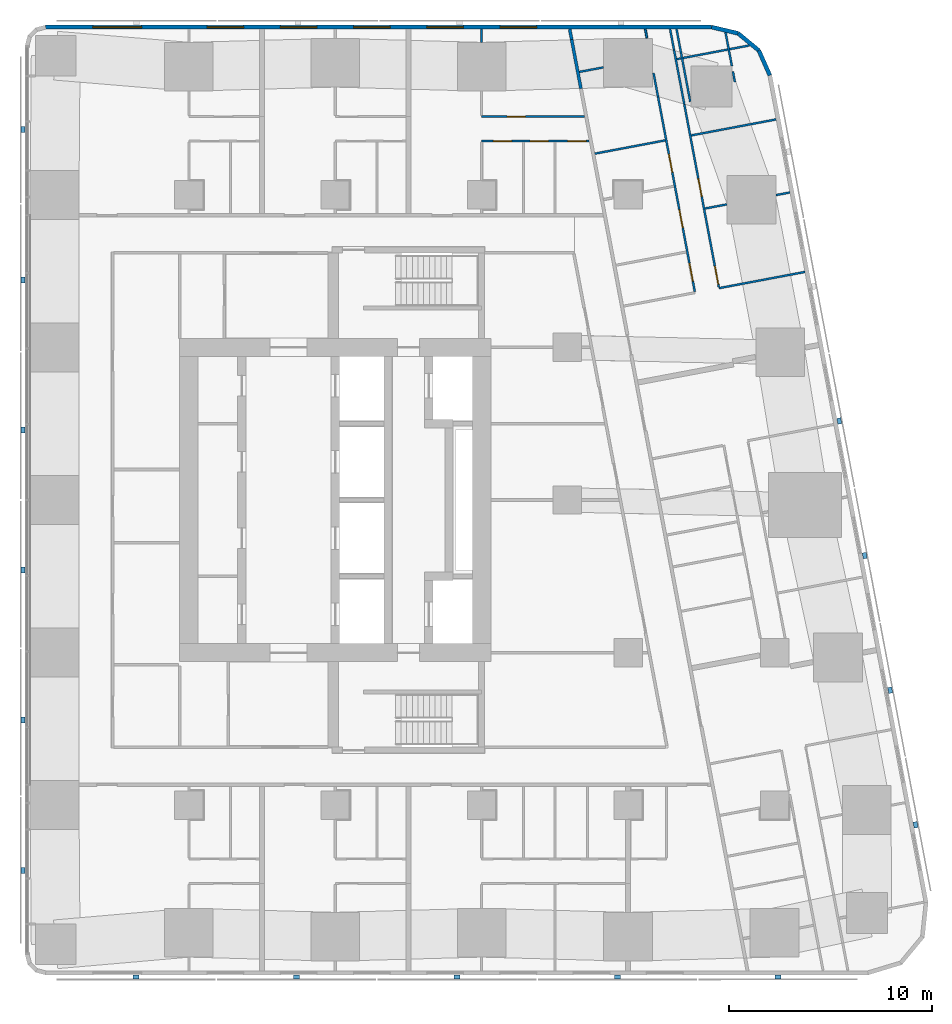
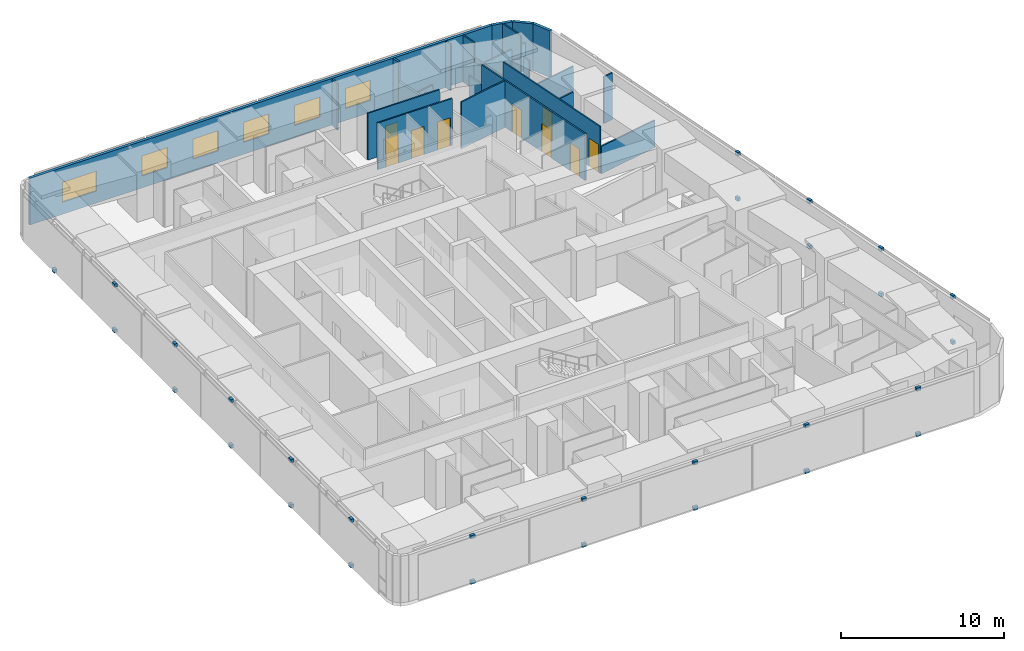
# One storey, part 14 of 17: 29 discrete accessories, 25 walls, 9 doors, 6 windows, 15 openings.
"""IFC4 building model written with IfcOpenShell, lengths in metres."""

from ifc_helpers import new_model, si_unit, direction, frame, frame_2d, origin, origin_2d, place, context, subcontext, project, spatial, rectangle, extrude, material, layer, layer_set, type_object, element, fill, save


model = new_model("IFC4")

# Units and contexts
model_context = context("Model", 3, precision=1e-05, world=origin(), true_north=direction((0.0, 1.0)))
body_context = subcontext(model_context, "Body", "Model", "MODEL_VIEW")
ifc_project = project(units=[si_unit("LENGTHUNIT", "METRE"), si_unit("AREAUNIT", "SQUARE_METRE"), si_unit("VOLUMEUNIT", "CUBIC_METRE"), si_unit("PLANEANGLEUNIT", "RADIAN"), si_unit("MASSUNIT", "GRAM", prefix="KILO")], contexts=[model_context])

# Site, building, storey
site_placement = place(None, origin())
site = spatial("IfcSite", under=ifc_project, at=site_placement, CompositionType="ELEMENT")
building_placement = place(site_placement, origin())
building = spatial("IfcBuilding", under=site, at=building_placement, Name="Sheger Commons Tower", CompositionType="ELEMENT")
storey_placement = place(building_placement, frame((0.0, 0.0, 212.449951171875)))
storey = spatial("IfcBuildingStorey", under=building, at=storey_placement, Name="L54", CompositionType="ELEMENT", Elevation=212.449951171875)

# Walls
ifc_material_1 = material(Name="Hollow concrete block masonry, skimmed both sides", Category="masonry")
ifc_layer_1 = layer(ifc_material_1, 0.14990234375)
ifc_layer_set_1 = layer_set([ifc_layer_1], Name="CORRIDOR WALL 150")
wall_type_1 = type_object("IfcWallType", Name="CORRIDOR WALL 150", PredefinedType="SOLIDWALL", material=ifc_layer_set_1)
wall_1_placement = place(storey_placement, frame((33.126953125, 45.64990234375, 0.0), z_axis=(0.0, 0.0, 1.0), x_axis=(0.185441815104, -0.982655246366, 0.0)))
element("IfcWall", 1, at=wall_1_placement, inside=storey, type_object=wall_type_1, Name="Corridor wall L54", PredefinedType="SOLIDWALL", context=body_context, shape_type="SweptSolid", body=[
    extrude(rectangle(XDim=0.52392578125, YDim=0.14990234375, at=frame_2d((0.261962890625, 0.0))), origin(), (0.0, 0.0, 1.0), 3.5),
])
wall_2_placement = place(storey_placement, frame((33.22412109375, 45.135009765625, 0.0), z_axis=(0.0, 0.0, 1.0), x_axis=(0.185681462868, -0.982609990967, 0.0)))
element("IfcWall", 2, at=wall_2_placement, inside=storey, type_object=wall_type_1, Name="Corridor wall L54", PredefinedType="SOLIDWALL", context=body_context, shape_type="SweptSolid", body=[
    extrude(rectangle(XDim=2.454833984375, YDim=0.14990234375, at=frame_2d((1.2275390625, 0.0))), origin(), (0.0, 0.0, 1.0), 2.050048828125),
])
ifc_material_2 = material(Name="Rendered concrete block masonry, dark grey", Category="masonry")
ifc_layer_2 = layer(ifc_material_2, 0.199951171875)
ifc_layer_set_2 = layer_set([ifc_layer_2], Name="FACADE WALL 200")
wall_type_2 = type_object("IfcWallType", Name="FACADE WALL 200", PredefinedType="SOLIDWALL", material=ifc_layer_set_2)
wall_3_placement = place(storey_placement, frame((42.969970703125, 43.376953125, 0.0), z_axis=(0.0, 0.0, 1.0), x_axis=(-0.406002956633, 0.913871762998, 0.0)))
element("IfcWall", 3, at=wall_3_placement, inside=storey, type_object=wall_type_2, Name="Facade wall L54", PredefinedType="SOLIDWALL", context=body_context, shape_type="SweptSolid", body=[
    extrude(rectangle(XDim=1.33740234375, YDim=0.199951171875, at=frame_2d((0.668701171875, 0.0))), origin(), (0.0, 0.0, 1.0), 3.5),
])
wall_4_placement = place(storey_placement, frame((42.427001953125, 44.59912109375, 0.0), z_axis=(0.0, 0.0, 1.0), x_axis=(-0.770091412544, 0.637933551655, 0.0)))
element("IfcWall", 4, at=wall_4_placement, inside=storey, type_object=wall_type_2, Name="Facade wall L54", PredefinedType="SOLIDWALL", context=body_context, shape_type="SweptSolid", body=[
    extrude(rectangle(XDim=1.324462890625, YDim=0.199951171875, at=frame_2d((0.662109375, 0.0))), origin(), (0.0, 0.0, 1.0), 3.5),
])
wall_5_placement = place(storey_placement, frame((41.406982421875, 45.444091796875, 0.0), z_axis=(0.0, 0.0, 1.0), x_axis=(-0.973453091607, 0.228886606077, 0.0)))
element("IfcWall", 5, at=wall_5_placement, inside=storey, type_object=wall_type_2, Name="Facade wall L54", PredefinedType="SOLIDWALL", context=body_context, shape_type="SweptSolid", body=[
    extrude(rectangle(XDim=1.33642578125, YDim=0.199951171875, at=frame_2d((0.668212890625, 0.0))), origin(), (0.0, 0.0, 1.0), 3.5),
])

# Wall, openings, windows
wall_6_placement = place(storey_placement, frame((40.10595703125, 45.75, 0.0), z_axis=(0.0, 0.0, 1.0), x_axis=(-1.0, 0.0, 0.0)))
wall_6 = element("IfcWall", 6, at=wall_6_placement, inside=storey, type_object=wall_type_2, Name="Facade wall L54", PredefinedType="SOLIDWALL", context=body_context, shape_type="SweptSolid", body=[
    extrude(rectangle(XDim=32.742919921875, YDim=0.199951171875, at=frame_2d((16.37158203125, 0.0))), origin(), (0.0, 0.0, 1.0), 3.5),
])
opening_1_placement = place(wall_6_placement, frame((8.60595703125, 0.0, 0.89990234375)))
opening_1 = element("IfcOpeningElement", 7, at=opening_1_placement, cuts=wall_6, Name="Opening W2", PredefinedType="OPENING", context=body_context, shape_type="SweptSolid", body=[
    extrude(rectangle(XDim=1.800048828125, YDim=1.5, at=frame_2d((0.89990234375, 0.75))), frame((0.0, 0.10986328125, 0.0), z_axis=(0.0, -1.0, 0.0), x_axis=(1.0, 0.0, 0.0)), (0.0, 0.0, 1.0), 0.219970703125),
])
opening_2_placement = place(wall_6_placement, frame((12.2060546875, 0.0, 0.89990234375)))
opening_2 = element("IfcOpeningElement", 8, at=opening_2_placement, cuts=wall_6, Name="Opening W2", PredefinedType="OPENING", context=body_context, shape_type="SweptSolid", body=[
    extrude(rectangle(XDim=1.800048828125, YDim=1.5, at=frame_2d((0.89990234375, 0.75))), frame((0.0, 0.10986328125, 0.0), z_axis=(0.0, -1.0, 0.0), x_axis=(1.0, 0.0, 0.0)), (0.0, 0.0, 1.0), 0.219970703125),
])
opening_3_placement = place(wall_6_placement, frame((15.805908203125, 0.0, 0.89990234375)))
opening_3 = element("IfcOpeningElement", 9, at=opening_3_placement, cuts=wall_6, Name="Opening W2", PredefinedType="OPENING", context=body_context, shape_type="SweptSolid", body=[
    extrude(rectangle(XDim=1.800048828125, YDim=1.5, at=frame_2d((0.89990234375, 0.75))), frame((0.0, 0.10986328125, 0.0), z_axis=(0.0, -1.0, 0.0), x_axis=(1.0, 0.0, 0.0)), (0.0, 0.0, 1.0), 0.219970703125),
])
opening_4_placement = place(wall_6_placement, frame((19.406005859375, 0.0, 0.89990234375)))
opening_4 = element("IfcOpeningElement", 10, at=opening_4_placement, cuts=wall_6, Name="Opening W2", PredefinedType="OPENING", context=body_context, shape_type="SweptSolid", body=[
    extrude(rectangle(XDim=1.800048828125, YDim=1.5, at=frame_2d((0.89990234375, 0.75))), frame((0.0, 0.10986328125, 0.0), z_axis=(0.0, -1.0, 0.0), x_axis=(1.0, 0.0, 0.0)), (0.0, 0.0, 1.0), 0.219970703125),
])
opening_5_placement = place(wall_6_placement, frame((23.006103515625, 0.0, 0.89990234375)))
opening_5 = element("IfcOpeningElement", 11, at=opening_5_placement, cuts=wall_6, Name="Opening W2", PredefinedType="OPENING", context=body_context, shape_type="SweptSolid", body=[
    extrude(rectangle(XDim=1.800048828125, YDim=1.5, at=frame_2d((0.89990234375, 0.75))), frame((0.0, 0.10986328125, 0.0), z_axis=(0.0, -1.0, 0.0), x_axis=(1.0, 0.0, 0.0)), (0.0, 0.0, 1.0), 0.219970703125),
])
opening_6_placement = place(wall_6_placement, frame((28.02490234375, 0.0, 0.89990234375)))
opening_6 = element("IfcOpeningElement", 12, at=opening_6_placement, cuts=wall_6, Name="Opening W1", PredefinedType="OPENING", context=body_context, shape_type="SweptSolid", body=[
    extrude(rectangle(XDim=2.39990234375, YDim=1.5, at=frame_2d((1.199951171875, 0.75))), frame((0.0, 0.10986328125, 0.0), z_axis=(0.0, -1.0, 0.0), x_axis=(1.0, 0.0, 0.0)), (0.0, 0.0, 1.0), 0.219970703125),
])
ifc_material_3 = material(Name="Black aluminium frame, dark tinted double glazing", Category="aluminium")
window_type_1 = type_object("IfcWindowType", Name="WINDOW W1 2400x1500", PartitioningType="SINGLE_PANEL", PredefinedType="WINDOW", material=ifc_material_3)
window_1_placement = place(opening_6_placement, origin())
window_1 = element("IfcWindow", 13, at=window_1_placement, inside=storey, type_object=window_type_1, Name="Window W1 2400X1500", OverallHeight=1.5, OverallWidth=2.39990234375, PartitioningType="SINGLE_PANEL", PredefinedType="WINDOW", context=body_context, shape_type="SweptSolid", body=[
    extrude(rectangle(XDim=2.39990234375, YDim=1.5, at=frame_2d((1.199951171875, 0.75))), frame((0.0, 0.030029296875, 0.0), z_axis=(0.0, -1.0, 0.0), x_axis=(1.0, 0.0, 0.0)), (0.0, 0.0, 1.0), 0.06005859375),
])
fill(opening_6, window_1)
ifc_material_4 = material(Name="Black aluminium frame, dark tinted double glazing", Category="aluminium")
window_type_2 = type_object("IfcWindowType", Name="WINDOW W2 1800x1500", PartitioningType="SINGLE_PANEL", PredefinedType="WINDOW", material=ifc_material_4)
window_2_placement = place(opening_1_placement, origin())
window_2 = element("IfcWindow", 14, at=window_2_placement, inside=storey, type_object=window_type_2, Name="Window W2 1800X1500", OverallHeight=1.5, OverallWidth=1.800048828125, PartitioningType="SINGLE_PANEL", PredefinedType="WINDOW", context=body_context, shape_type="SweptSolid", body=[
    extrude(rectangle(XDim=1.800048828125, YDim=1.5, at=frame_2d((0.89990234375, 0.75))), frame((0.0, 0.030029296875, 0.0), z_axis=(0.0, -1.0, 0.0), x_axis=(1.0, 0.0, 0.0)), (0.0, 0.0, 1.0), 0.06005859375),
])
fill(opening_1, window_2)
window_3_placement = place(opening_2_placement, origin())
window_3 = element("IfcWindow", 15, at=window_3_placement, inside=storey, type_object=window_type_2, Name="Window W2 1800X1500", OverallHeight=1.5, OverallWidth=1.800048828125, PartitioningType="SINGLE_PANEL", PredefinedType="WINDOW", context=body_context, shape_type="SweptSolid", body=[
    extrude(rectangle(XDim=1.800048828125, YDim=1.5, at=frame_2d((0.89990234375, 0.75))), frame((0.0, 0.030029296875, 0.0), z_axis=(0.0, -1.0, 0.0), x_axis=(1.0, 0.0, 0.0)), (0.0, 0.0, 1.0), 0.06005859375),
])
fill(opening_2, window_3)
window_4_placement = place(opening_3_placement, origin())
window_4 = element("IfcWindow", 16, at=window_4_placement, inside=storey, type_object=window_type_2, Name="Window W2 1800X1500", OverallHeight=1.5, OverallWidth=1.800048828125, PartitioningType="SINGLE_PANEL", PredefinedType="WINDOW", context=body_context, shape_type="SweptSolid", body=[
    extrude(rectangle(XDim=1.800048828125, YDim=1.5, at=frame_2d((0.89990234375, 0.75))), frame((0.0, 0.030029296875, 0.0), z_axis=(0.0, -1.0, 0.0), x_axis=(1.0, 0.0, 0.0)), (0.0, 0.0, 1.0), 0.06005859375),
])
fill(opening_3, window_4)
window_5_placement = place(opening_4_placement, origin())
window_5 = element("IfcWindow", 17, at=window_5_placement, inside=storey, type_object=window_type_2, Name="Window W2 1800X1500", OverallHeight=1.5, OverallWidth=1.800048828125, PartitioningType="SINGLE_PANEL", PredefinedType="WINDOW", context=body_context, shape_type="SweptSolid", body=[
    extrude(rectangle(XDim=1.800048828125, YDim=1.5, at=frame_2d((0.89990234375, 0.75))), frame((0.0, 0.030029296875, 0.0), z_axis=(0.0, -1.0, 0.0), x_axis=(1.0, 0.0, 0.0)), (0.0, 0.0, 1.0), 0.06005859375),
])
fill(opening_4, window_5)
window_6_placement = place(opening_5_placement, origin())
window_6 = element("IfcWindow", 18, at=window_6_placement, inside=storey, type_object=window_type_2, Name="Window W2 1800X1500", OverallHeight=1.5, OverallWidth=1.800048828125, PartitioningType="SINGLE_PANEL", PredefinedType="WINDOW", context=body_context, shape_type="SweptSolid", body=[
    extrude(rectangle(XDim=1.800048828125, YDim=1.5, at=frame_2d((0.89990234375, 0.75))), frame((0.0, 0.030029296875, 0.0), z_axis=(0.0, -1.0, 0.0), x_axis=(1.0, 0.0, 0.0)), (0.0, 0.0, 1.0), 0.06005859375),
])
fill(opening_5, window_6)

# Walls
ifc_material_5 = material(Name="Gypsum board on steel studs", Category="steel")
ifc_layer_3 = layer(ifc_material_5, 0.10009765625)
ifc_layer_set_3 = layer_set([ifc_layer_3], Name="PARTITION 100")
wall_type_3 = type_object("IfcWallType", Name="PARTITION 100", PredefinedType="PARTITIONING", material=ifc_layer_set_3)
wall_7_placement = place(storey_placement, frame((39.053955078125, 42.0849609375, 0.0), z_axis=(0.0, 0.0, 1.0), x_axis=(-0.185791584218, 0.982589175207, 0.0)))
element("IfcWall", 19, at=wall_7_placement, inside=storey, type_object=wall_type_3, Name="Partition L54", PredefinedType="PARTITIONING", context=body_context, shape_type="SweptSolid", body=[
    extrude(rectangle(XDim=3.628173828125, YDim=0.10009765625, at=frame_2d((1.81396484375, 0.0))), origin(), (0.0, 0.0, 1.0), 2.050048828125),
])
wall_8_placement = place(storey_placement, frame((40.7890625, 45.487060546875, 0.0), z_axis=(0.0, 0.0, 1.0), x_axis=(0.185572395193, -0.982630594955, 0.0)))
element("IfcWall", 20, at=wall_8_placement, inside=storey, type_object=wall_type_3, Name="Partition L54", PredefinedType="PARTITIONING", context=body_context, shape_type="SweptSolid", body=[
    extrude(rectangle(XDim=1.676025390625, YDim=0.10009765625, at=frame_2d((0.837890625, 0.0))), origin(), (0.0, 0.0, 1.0), 3.5),
])
wall_9_placement = place(storey_placement, frame((41.15087890625, 43.569091796875, 0.0), z_axis=(0.0, 0.0, 1.0), x_axis=(0.186563073924, -0.982442985342, 0.0)))
element("IfcWall", 21, at=wall_9_placement, inside=storey, type_object=wall_type_3, Name="Partition L54", PredefinedType="PARTITIONING", context=body_context, shape_type="SweptSolid", body=[
    extrude(rectangle(XDim=0.53125, YDim=0.10009765625, at=frame_2d((0.265625, 0.0))), origin(), (0.0, 0.0, 1.0), 2.050048828125),
])
wall_10_placement = place(storey_placement, frame((38.06298828125, 45.64990234375, 0.0), z_axis=(0.0, 0.0, 1.0), x_axis=(0.185677287841, -0.982610779902, 0.0)))
element("IfcWall", 22, at=wall_10_placement, inside=storey, type_object=wall_type_3, Name="Partition L54", PredefinedType="PARTITIONING", context=body_context, shape_type="SweptSolid", body=[
    extrude(rectangle(XDim=1.0400390625, YDim=0.10009765625, at=frame_2d((0.52001953125, 0.0))), origin(), (0.0, 0.0, 1.0), 3.5),
])
wall_11_placement = place(storey_placement, frame((38.256103515625, 44.6279296875, 0.0), z_axis=(0.0, 0.0, 1.0), x_axis=(0.185700639943, -0.982606366927, 0.0)))
element("IfcWall", 23, at=wall_11_placement, inside=storey, type_object=wall_type_3, Name="Partition L54", PredefinedType="PARTITIONING", context=body_context, shape_type="SweptSolid", body=[
    extrude(rectangle(XDim=2.734619140625, YDim=0.10009765625, at=frame_2d((1.3671875, 0.0))), origin(), (0.0, 0.0, 1.0), 2.050048828125),
])

# Wall, openings, doors
wall_12_placement = place(storey_placement, frame((38.763916015625, 41.94091796875, 0.0), z_axis=(0.0, 0.0, 1.0), x_axis=(0.185548572312, -0.982635093671, 0.0)))
wall_12 = element("IfcWall", 24, at=wall_12_placement, inside=storey, type_object=wall_type_3, Name="Partition L54", PredefinedType="PARTITIONING", context=body_context, shape_type="SweptSolid", body=[
    extrude(rectangle(XDim=9.135498046875, YDim=0.10009765625, at=frame_2d((4.56787109375, 0.0))), origin(), (0.0, 0.0, 1.0), 3.5),
])
opening_7_placement = place(wall_12_placement, frame((8.0849609375, 0.0, 0.0)))
opening_7 = element("IfcOpeningElement", 25, at=opening_7_placement, cuts=wall_12, Name="Opening D2", PredefinedType="OPENING", context=body_context, shape_type="SweptSolid", body=[
    extrude(rectangle(XDim=0.89990234375, YDim=2.10009765625, at=frame_2d((0.449951171875, 1.050048828125))), frame((0.0, 0.06005859375, 0.0), z_axis=(0.0, -1.0, 0.0), x_axis=(1.0, 0.0, 0.0)), (0.0, 0.0, 1.0), 0.1201171875),
])
opening_8_placement = place(wall_12_placement, frame((3.699951171875, 0.0, 0.0)))
opening_8 = element("IfcOpeningElement", 26, at=opening_8_placement, cuts=wall_12, Name="Opening D2", PredefinedType="OPENING", context=body_context, shape_type="SweptSolid", body=[
    extrude(rectangle(XDim=0.89990234375, YDim=2.10009765625, at=frame_2d((0.449951171875, 1.050048828125))), frame((0.0, 0.06005859375, 0.0), z_axis=(0.0, -1.0, 0.0), x_axis=(1.0, 0.0, 0.0)), (0.0, 0.0, 1.0), 0.1201171875),
])
ifc_material_6 = material(Name="Timber door set", Category="wood")
door_type = type_object("IfcDoorType", Name="INTERNAL DOOR 900x2100", OperationType="NOTDEFINED", PredefinedType="DOOR", material=ifc_material_6)
door_1_placement = place(opening_7_placement, origin())
door_1 = element("IfcDoor", 27, at=door_1_placement, inside=storey, type_object=door_type, Name="Main bedroom door", OperationType="SINGLE_SWING_RIGHT", OverallHeight=2.10009765625, OverallWidth=0.89990234375, PredefinedType="DOOR", context=body_context, shape_type="SweptSolid", body=[
    extrude(rectangle(XDim=0.89990234375, YDim=2.10009765625, at=frame_2d((0.449951171875, 1.050048828125))), frame((0.0, 0.02490234375, 0.0), z_axis=(0.0, -1.0, 0.0), x_axis=(1.0, 0.0, 0.0)), (0.0, 0.0, 1.0), 0.050048828125),
])
fill(opening_7, door_1)
door_2_placement = place(opening_8_placement, origin())
door_2 = element("IfcDoor", 28, at=door_2_placement, inside=storey, type_object=door_type, Name="Bedroom 2 door", OperationType="SINGLE_SWING_RIGHT", OverallHeight=2.10009765625, OverallWidth=0.89990234375, PredefinedType="DOOR", context=body_context, shape_type="SweptSolid", body=[
    extrude(rectangle(XDim=0.89990234375, YDim=2.10009765625, at=frame_2d((0.449951171875, 1.050048828125))), frame((0.0, 0.02490234375, 0.0), z_axis=(0.0, -1.0, 0.0), x_axis=(1.0, 0.0, 0.0)), (0.0, 0.0, 1.0), 0.050048828125),
])
fill(opening_8, door_2)

# Walls
wall_13_placement = place(storey_placement, frame((36.842041015625, 45.64990234375, 0.0), z_axis=(0.0, 0.0, 1.0), x_axis=(0.185407859198, -0.982661653748, 0.0)))
element("IfcWall", 29, at=wall_13_placement, inside=storey, type_object=wall_type_3, Name="Partition L54", PredefinedType="PARTITIONING", context=body_context, shape_type="SweptSolid", body=[
    extrude(rectangle(XDim=0.44775390625, YDim=0.10009765625, at=frame_2d((0.223876953125, 0.0))), origin(), (0.0, 0.0, 1.0), 3.5),
])
wall_14_placement = place(storey_placement, frame((37.2490234375, 43.492919921875, 0.0), z_axis=(0.0, 0.0, 1.0), x_axis=(0.185817643817, -0.982584247404, 0.0)))
element("IfcWall", 30, at=wall_14_placement, inside=storey, type_object=wall_type_3, Name="Partition L54", PredefinedType="PARTITIONING", context=body_context, shape_type="SweptSolid", body=[
    extrude(rectangle(XDim=1.204833984375, YDim=0.10009765625, at=frame_2d((0.6025390625, 0.0))), origin(), (0.0, 0.0, 1.0), 2.050048828125),
])

# Wall, openings, doors
wall_15_placement = place(storey_placement, frame((37.472900390625, 42.30908203125, 0.0), z_axis=(0.0, 0.0, 1.0), x_axis=(0.185491912953, -0.982645790827, 0.0)))
wall_15 = element("IfcWall", 31, at=wall_15_placement, inside=storey, type_object=wall_type_3, Name="Partition L54", PredefinedType="PARTITIONING", context=body_context, shape_type="SweptSolid", body=[
    extrude(rectangle(XDim=9.737060546875, YDim=0.10009765625, at=frame_2d((4.86865234375, 0.0))), origin(), (0.0, 0.0, 1.0), 3.5),
])
opening_9_placement = place(wall_15_placement, frame((8.31201171875, 0.0, 0.0)))
opening_9 = element("IfcOpeningElement", 32, at=opening_9_placement, cuts=wall_15, Name="Opening D2", PredefinedType="OPENING", context=body_context, shape_type="SweptSolid", body=[
    extrude(rectangle(XDim=0.89990234375, YDim=2.10009765625, at=frame_2d((0.449951171875, 1.050048828125))), frame((0.0, 0.06005859375, 0.0), z_axis=(0.0, -1.0, 0.0), x_axis=(1.0, 0.0, 0.0)), (0.0, 0.0, 1.0), 0.1201171875),
])
opening_10_placement = place(wall_15_placement, frame((2.85302734375, 0.0, 0.0)))
opening_10 = element("IfcOpeningElement", 33, at=opening_10_placement, cuts=wall_15, Name="Opening D2", PredefinedType="OPENING", context=body_context, shape_type="SweptSolid", body=[
    extrude(rectangle(XDim=0.89990234375, YDim=2.10009765625, at=frame_2d((0.449951171875, 1.050048828125))), frame((0.0, 0.06005859375, 0.0), z_axis=(0.0, -1.0, 0.0), x_axis=(1.0, 0.0, 0.0)), (0.0, 0.0, 1.0), 0.1201171875),
])
opening_11_placement = place(wall_15_placement, frame((5.64404296875, 0.0, 0.0)))
opening_11 = element("IfcOpeningElement", 34, at=opening_11_placement, cuts=wall_15, Name="Opening D2", PredefinedType="OPENING", context=body_context, shape_type="SweptSolid", body=[
    extrude(rectangle(XDim=0.89990234375, YDim=2.10009765625, at=frame_2d((0.449951171875, 1.050048828125))), frame((0.0, 0.06005859375, 0.0), z_axis=(0.0, -1.0, 0.0), x_axis=(1.0, 0.0, 0.0)), (0.0, 0.0, 1.0), 0.1201171875),
])
door_3_placement = place(opening_9_placement, origin())
door_3 = element("IfcDoor", 35, at=door_3_placement, inside=storey, type_object=door_type, Name="Bathroom door", OperationType="SINGLE_SWING_LEFT", OverallHeight=2.10009765625, OverallWidth=0.89990234375, PredefinedType="DOOR", context=body_context, shape_type="SweptSolid", body=[
    extrude(rectangle(XDim=0.89990234375, YDim=2.10009765625, at=frame_2d((0.449951171875, 1.050048828125))), frame((0.0, 0.02490234375, 0.0), z_axis=(0.0, -1.0, 0.0), x_axis=(1.0, 0.0, 0.0)), (0.0, 0.0, 1.0), 0.050048828125),
])
fill(opening_9, door_3)
door_4_placement = place(opening_10_placement, origin())
door_4 = element("IfcDoor", 36, at=door_4_placement, inside=storey, type_object=door_type, Name="Laundry room door", OperationType="SINGLE_SWING_LEFT", OverallHeight=2.10009765625, OverallWidth=0.89990234375, PredefinedType="DOOR", context=body_context, shape_type="SweptSolid", body=[
    extrude(rectangle(XDim=0.89990234375, YDim=2.10009765625, at=frame_2d((0.449951171875, 1.050048828125))), frame((0.0, 0.02490234375, 0.0), z_axis=(0.0, -1.0, 0.0), x_axis=(1.0, 0.0, 0.0)), (0.0, 0.0, 1.0), 0.050048828125),
])
fill(opening_10, door_4)
door_5_placement = place(opening_11_placement, origin())
door_5 = element("IfcDoor", 37, at=door_5_placement, inside=storey, type_object=door_type, Name="Store door", OperationType="SINGLE_SWING_LEFT", OverallHeight=2.10009765625, OverallWidth=0.89990234375, PredefinedType="DOOR", context=body_context, shape_type="SweptSolid", body=[
    extrude(rectangle(XDim=0.89990234375, YDim=2.10009765625, at=frame_2d((0.449951171875, 1.050048828125))), frame((0.0, 0.02490234375, 0.0), z_axis=(0.0, -1.0, 0.0), x_axis=(1.0, 0.0, 0.0)), (0.0, 0.0, 1.0), 0.050048828125),
])
fill(opening_11, door_5)

# Walls
wall_16_placement = place(storey_placement, frame((41.968017578125, 44.85009765625, 0.0), z_axis=(0.0, 0.0, 1.0), x_axis=(-0.98258614234, -0.185807623311, 0.0)))
element("IfcWall", 38, at=wall_16_placement, inside=storey, type_object=wall_type_3, Name="Partition L54", PredefinedType="PARTITIONING", context=body_context, shape_type="SweptSolid", body=[
    extrude(rectangle(XDim=3.638427734375, YDim=0.10009765625, at=frame_2d((1.8193359375, 0.0))), origin(), (0.0, 0.0, 1.0), 2.050048828125),
])
wall_17_placement = place(storey_placement, frame((43.277099609375, 41.2119140625, 0.0), z_axis=(0.0, 0.0, 1.0), x_axis=(-0.982665405803, -0.185387972203, 0.0)))
element("IfcWall", 39, at=wall_17_placement, inside=storey, type_object=wall_type_3, Name="Partition L54", PredefinedType="PARTITIONING", context=body_context, shape_type="SweptSolid", body=[
    extrude(rectangle(XDim=4.249755859375, YDim=0.10009765625, at=frame_2d((2.125, 0.0))), origin(), (0.0, 0.0, 1.0), 2.050048828125),
])
wall_18_placement = place(storey_placement, frame((43.955078125, 37.6201171875, 0.0), z_axis=(0.0, 0.0, 1.0), x_axis=(-0.982495415327, -0.186286765128, 0.0)))
element("IfcWall", 40, at=wall_18_placement, inside=storey, type_object=wall_type_3, Name="Partition L54", PredefinedType="PARTITIONING", context=body_context, shape_type="SweptSolid", body=[
    extrude(rectangle(XDim=0.693359375, YDim=0.10009765625, at=frame_2d((0.3466796875, 0.0))), origin(), (0.0, 0.0, 1.0), 3.5),
])
wall_19_placement = place(storey_placement, frame((40.85400390625, 37.033935546875, 0.0), z_axis=(0.0, 0.0, 1.0), x_axis=(-0.982651678759, -0.185460718839, 0.0)))
element("IfcWall", 41, at=wall_19_placement, inside=storey, type_object=wall_type_3, Name="Partition L54", PredefinedType="PARTITIONING", context=body_context, shape_type="SweptSolid", body=[
    extrude(rectangle(XDim=1.093994140625, YDim=0.10009765625, at=frame_2d((0.546875, 0.0))), origin(), (0.0, 0.0, 1.0), 3.5),
])
wall_20_placement = place(storey_placement, frame((44.693115234375, 33.712890625, 0.0), z_axis=(0.0, 0.0, 1.0), x_axis=(-0.982633535512, -0.185556823879, 0.0)))
element("IfcWall", 42, at=wall_20_placement, inside=storey, type_object=wall_type_3, Name="Partition L54", PredefinedType="PARTITIONING", context=body_context, shape_type="SweptSolid", body=[
    extrude(rectangle(XDim=4.2998046875, YDim=0.10009765625, at=frame_2d((2.14990234375, 0.0))), origin(), (0.0, 0.0, 1.0), 2.050048828125),
])
wall_21_placement = place(storey_placement, frame((34.7900390625, 43.77099609375, 0.0), z_axis=(0.0, 0.0, 1.0), x_axis=(-0.982730261052, -0.18504387051, 0.0)))
element("IfcWall", 43, at=wall_21_placement, inside=storey, type_object=wall_type_3, Name="Partition L54", PredefinedType="PARTITIONING", context=body_context, shape_type="SweptSolid", body=[
    extrude(rectangle(XDim=1.2099609375, YDim=0.10009765625, at=frame_2d((0.60498046875, 0.0))), origin(), (0.0, 0.0, 1.0), 2.050048828125),
])
wall_22_placement = place(storey_placement, frame((37.822998046875, 40.181884765625, 0.0), z_axis=(0.0, 0.0, 1.0), x_axis=(-0.98263926043, -0.185526504472, 0.0)))
element("IfcWall", 44, at=wall_22_placement, inside=storey, type_object=wall_type_3, Name="Partition L54", PredefinedType="PARTITIONING", context=body_context, shape_type="SweptSolid", body=[
    extrude(rectangle(XDim=3.524169921875, YDim=0.10009765625, at=frame_2d((1.76220703125, 0.0))), origin(), (0.0, 0.0, 1.0), 3.5),
])

# Wall, opening, door
wall_23_placement = place(storey_placement, frame((28.800048828125, 41.35009765625, 0.0), z_axis=(0.0, 0.0, 1.0), x_axis=(1.0, 0.0, 0.0)))
wall_23 = element("IfcWall", 45, at=wall_23_placement, inside=storey, type_object=wall_type_3, Name="Partition L54", PredefinedType="PARTITIONING", context=body_context, shape_type="SweptSolid", body=[
    extrude(rectangle(XDim=5.052978515625, YDim=0.10009765625, at=frame_2d((2.5263671875, 0.0))), origin(), (0.0, 0.0, 1.0), 3.5),
])
opening_12_placement = place(wall_23_placement, frame((1.25, 0.0, 0.0)))
opening_12 = element("IfcOpeningElement", 46, at=opening_12_placement, cuts=wall_23, Name="Opening D2", PredefinedType="OPENING", context=body_context, shape_type="SweptSolid", body=[
    extrude(rectangle(XDim=0.89990234375, YDim=2.10009765625, at=frame_2d((0.449951171875, 1.050048828125))), frame((0.0, 0.06005859375, 0.0), z_axis=(0.0, -1.0, 0.0), x_axis=(1.0, 0.0, 0.0)), (0.0, 0.0, 1.0), 0.1201171875),
])
door_6_placement = place(opening_12_placement, origin())
door_6 = element("IfcDoor", 47, at=door_6_placement, inside=storey, type_object=door_type, Name="Main bedroom door", OperationType="SINGLE_SWING_RIGHT", OverallHeight=2.10009765625, OverallWidth=0.89990234375, PredefinedType="DOOR", context=body_context, shape_type="SweptSolid", body=[
    extrude(rectangle(XDim=0.89990234375, YDim=2.10009765625, at=frame_2d((0.449951171875, 1.050048828125))), frame((0.0, 0.02490234375, 0.0), z_axis=(0.0, -1.0, 0.0), x_axis=(1.0, 0.0, 0.0)), (0.0, 0.0, 1.0), 0.050048828125),
])
fill(opening_12, door_6)

# Wall, openings, doors
wall_24_placement = place(storey_placement, frame((28.800048828125, 40.14990234375, 0.0), z_axis=(0.0, 0.0, 1.0), x_axis=(1.0, 0.0, 0.0)))
wall_24 = element("IfcWall", 48, at=wall_24_placement, inside=storey, type_object=wall_type_3, Name="Partition L54", PredefinedType="PARTITIONING", context=body_context, shape_type="SweptSolid", body=[
    extrude(rectangle(XDim=5.280029296875, YDim=0.10009765625, at=frame_2d((2.64013671875, 0.0))), origin(), (0.0, 0.0, 1.0), 3.5),
])
opening_13_placement = place(wall_24_placement, frame((0.574951171875, 0.0, 0.0)))
opening_13 = element("IfcOpeningElement", 49, at=opening_13_placement, cuts=wall_24, Name="Opening D2", PredefinedType="OPENING", context=body_context, shape_type="SweptSolid", body=[
    extrude(rectangle(XDim=0.89990234375, YDim=2.10009765625, at=frame_2d((0.449951171875, 1.050048828125))), frame((0.0, 0.06005859375, 0.0), z_axis=(0.0, -1.0, 0.0), x_axis=(1.0, 0.0, 0.0)), (0.0, 0.0, 1.0), 0.1201171875),
])
opening_14_placement = place(wall_24_placement, frame((4.22998046875, 0.0, 0.0)))
opening_14 = element("IfcOpeningElement", 50, at=opening_14_placement, cuts=wall_24, Name="Opening D2", PredefinedType="OPENING", context=body_context, shape_type="SweptSolid", body=[
    extrude(rectangle(XDim=0.89990234375, YDim=2.10009765625, at=frame_2d((0.449951171875, 1.050048828125))), frame((0.0, 0.06005859375, 0.0), z_axis=(0.0, -1.0, 0.0), x_axis=(1.0, 0.0, 0.0)), (0.0, 0.0, 1.0), 0.1201171875),
])
opening_15_placement = place(wall_24_placement, frame((2.375, 0.0, 0.0)))
opening_15 = element("IfcOpeningElement", 51, at=opening_15_placement, cuts=wall_24, Name="Opening D2", PredefinedType="OPENING", context=body_context, shape_type="SweptSolid", body=[
    extrude(rectangle(XDim=0.89990234375, YDim=2.10009765625, at=frame_2d((0.449951171875, 1.050048828125))), frame((0.0, 0.06005859375, 0.0), z_axis=(0.0, -1.0, 0.0), x_axis=(1.0, 0.0, 0.0)), (0.0, 0.0, 1.0), 0.1201171875),
])
door_7_placement = place(opening_13_placement, origin())
door_7 = element("IfcDoor", 52, at=door_7_placement, inside=storey, type_object=door_type, Name="Bathroom door", OperationType="SINGLE_SWING_RIGHT", OverallHeight=2.10009765625, OverallWidth=0.89990234375, PredefinedType="DOOR", context=body_context, shape_type="SweptSolid", body=[
    extrude(rectangle(XDim=0.89990234375, YDim=2.10009765625, at=frame_2d((0.449951171875, 1.050048828125))), frame((0.0, 0.02490234375, 0.0), z_axis=(0.0, -1.0, 0.0), x_axis=(1.0, 0.0, 0.0)), (0.0, 0.0, 1.0), 0.050048828125),
])
fill(opening_13, door_7)
door_8_placement = place(opening_14_placement, origin())
door_8 = element("IfcDoor", 53, at=door_8_placement, inside=storey, type_object=door_type, Name="Laundry room door", OperationType="SINGLE_SWING_LEFT", OverallHeight=2.10009765625, OverallWidth=0.89990234375, PredefinedType="DOOR", context=body_context, shape_type="SweptSolid", body=[
    extrude(rectangle(XDim=0.89990234375, YDim=2.10009765625, at=frame_2d((0.449951171875, 1.050048828125))), frame((0.0, 0.02490234375, 0.0), z_axis=(0.0, -1.0, 0.0), x_axis=(1.0, 0.0, 0.0)), (0.0, 0.0, 1.0), 0.050048828125),
])
fill(opening_14, door_8)
door_9_placement = place(opening_15_placement, origin())
door_9 = element("IfcDoor", 54, at=door_9_placement, inside=storey, type_object=door_type, Name="Store door", OperationType="SINGLE_SWING_LEFT", OverallHeight=2.10009765625, OverallWidth=0.89990234375, PredefinedType="DOOR", context=body_context, shape_type="SweptSolid", body=[
    extrude(rectangle(XDim=0.89990234375, YDim=2.10009765625, at=frame_2d((0.449951171875, 1.050048828125))), frame((0.0, 0.02490234375, 0.0), z_axis=(0.0, -1.0, 0.0), x_axis=(1.0, 0.0, 0.0)), (0.0, 0.0, 1.0), 0.050048828125),
])
fill(opening_15, door_9)

# Wall
wall_25_placement = place(storey_placement, frame((28.800048828125, 45.0009765625, 0.0), z_axis=(0.0, 0.0, 1.0), x_axis=(0.0, 1.0, 0.0)))
element("IfcWall", 55, at=wall_25_placement, inside=storey, type_object=wall_type_3, Name="Partition L54", PredefinedType="PARTITIONING", context=body_context, shape_type="SweptSolid", body=[
    extrude(rectangle(XDim=0.64892578125, YDim=0.10009765625, at=frame_2d((0.324462890625, 0.0))), origin(), (0.0, 0.0, 1.0), 3.5),
])

# Discrete accessories
ifc_material_7 = material(Name="Black painted steel bracket", Category="steel")
discrete_accessory_type = type_object("IfcDiscreteAccessoryType", Name="SCREEN BRACKET 300x200x250", PredefinedType="BRACKET", material=ifc_material_7)
for number, where, z_axis, x_axis, name in (
    (56, (11.7958984375, -0.949951171875, -0.099853515625), (0.0, 0.0, 1.0), (1.0, 0.0, 0.0), "Solar screen foot bracket"),
    (57, (11.7958984375, -0.949951171875, 3.300048828125), (0.0, 0.0, 1.0), (1.0, 0.0, 0.0), "Solar screen head bracket"),
    (58, (19.68701171875, -0.949951171875, -0.099853515625), (0.0, 0.0, 1.0), (1.0, 0.0, 0.0), "Solar screen foot bracket"),
    (59, (19.68701171875, -0.949951171875, 3.300048828125), (0.0, 0.0, 1.0), (1.0, 0.0, 0.0), "Solar screen head bracket"),
    (60, (27.577880859375, -0.949951171875, -0.099853515625), (0.0, 0.0, 1.0), (1.0, 0.0, 0.0), "Solar screen foot bracket"),
    (61, (27.577880859375, -0.949951171875, 3.300048828125), (0.0, 0.0, 1.0), (1.0, 0.0, 0.0), "Solar screen head bracket"),
    (62, (35.468994140625, -0.949951171875, -0.099853515625), (0.0, 0.0, 1.0), (1.0, 0.0, 0.0), "Solar screen foot bracket"),
    (63, (35.468994140625, -0.949951171875, 3.300048828125), (0.0, 0.0, 1.0), (1.0, 0.0, 0.0), "Solar screen head bracket"),
    (64, (43.360107421875, -0.949951171875, -0.099853515625), (0.0, 0.0, 1.0), (1.0, 0.0, 0.0), "Solar screen foot bracket"),
    (65, (43.360107421875, -0.949951171875, 3.300048828125), (0.0, 0.0, 1.0), (1.0, 0.0, 0.0), "Solar screen head bracket"),
    (66, (50.134033203125, 6.527099609375, -0.099853515625), (0.0, 0.0, 1.0), (-0.185615165645, 0.982622516678, 0.0), "Solar screen foot bracket"),
    (67, (50.134033203125, 6.527099609375, 3.300048828125), (0.0, 0.0, 1.0), (-0.185615165645, 0.982622516678, 0.0), "Solar screen head bracket"),
    (68, (48.884033203125, 13.14599609375, -0.099853515625), (0.0, 0.0, 1.0), (-0.185615165645, 0.982622516678, 0.0), "Solar screen foot bracket"),
    (69, (48.884033203125, 13.14599609375, 3.300048828125), (0.0, 0.0, 1.0), (-0.185615165645, 0.982622516678, 0.0), "Solar screen head bracket"),
    (70, (47.633056640625, 19.76611328125, -0.099853515625), (0.0, 0.0, 1.0), (-0.185615165645, 0.982622516678, 0.0), "Solar screen foot bracket"),
    (71, (47.633056640625, 19.76611328125, 3.300048828125), (0.0, 0.0, 1.0), (-0.185615165645, 0.982622516678, 0.0), "Solar screen head bracket"),
    (72, (46.383056640625, 26.385009765625, -0.099853515625), (0.0, 0.0, 1.0), (-0.185615165645, 0.982622516678, 0.0), "Solar screen foot bracket"),
    (73, (46.383056640625, 26.385009765625, 3.300048828125), (0.0, 0.0, 1.0), (-0.185615165645, 0.982622516678, 0.0), "Solar screen head bracket"),
    (74, (6.25, 40.7080078125, -0.099853515625), (0.0, 0.0, 1.0), (0.0, -1.0, 0.0), "Solar screen foot bracket"),
    (75, (6.25, 33.324951171875, -0.099853515625), (0.0, 0.0, 1.0), (0.0, -1.0, 0.0), "Solar screen foot bracket"),
    (76, (6.25, 33.324951171875, 3.300048828125), (0.0, 0.0, 1.0), (0.0, -1.0, 0.0), "Solar screen head bracket"),
    (77, (6.25, 25.94189453125, -0.099853515625), (0.0, 0.0, 1.0), (0.0, -1.0, 0.0), "Solar screen foot bracket"),
    (78, (6.25, 25.94189453125, 3.300048828125), (0.0, 0.0, 1.0), (0.0, -1.0, 0.0), "Solar screen head bracket"),
    (79, (6.25, 19.05810546875, -0.099853515625), (0.0, 0.0, 1.0), (0.0, -1.0, 0.0), "Solar screen foot bracket"),
    (80, (6.25, 19.05810546875, 3.300048828125), (0.0, 0.0, 1.0), (0.0, -1.0, 0.0), "Solar screen head bracket"),
    (81, (6.25, 11.675048828125, -0.099853515625), (0.0, 0.0, 1.0), (0.0, -1.0, 0.0), "Solar screen foot bracket"),
    (82, (6.25, 11.675048828125, 3.300048828125), (0.0, 0.0, 1.0), (0.0, -1.0, 0.0), "Solar screen head bracket"),
    (83, (6.25, 4.2919921875, -0.099853515625), (0.0, 0.0, 1.0), (0.0, -1.0, 0.0), "Solar screen foot bracket"),
    (84, (6.25, 4.2919921875, 3.300048828125), (0.0, 0.0, 1.0), (0.0, -1.0, 0.0), "Solar screen head bracket"),
):
    element("IfcDiscreteAccessory", number, at=place(storey_placement, frame(where, z_axis=z_axis, x_axis=x_axis)), inside=storey, type_object=discrete_accessory_type, Name=name, PredefinedType="BRACKET", context=body_context, shape_type="SweptSolid", body=[
        extrude(rectangle(XDim=0.300048828125, YDim=0.199951171875, at=origin_2d()), origin(), (0.0, 0.0, 1.0), 0.25),
    ])

save(model, "model.ifc")
